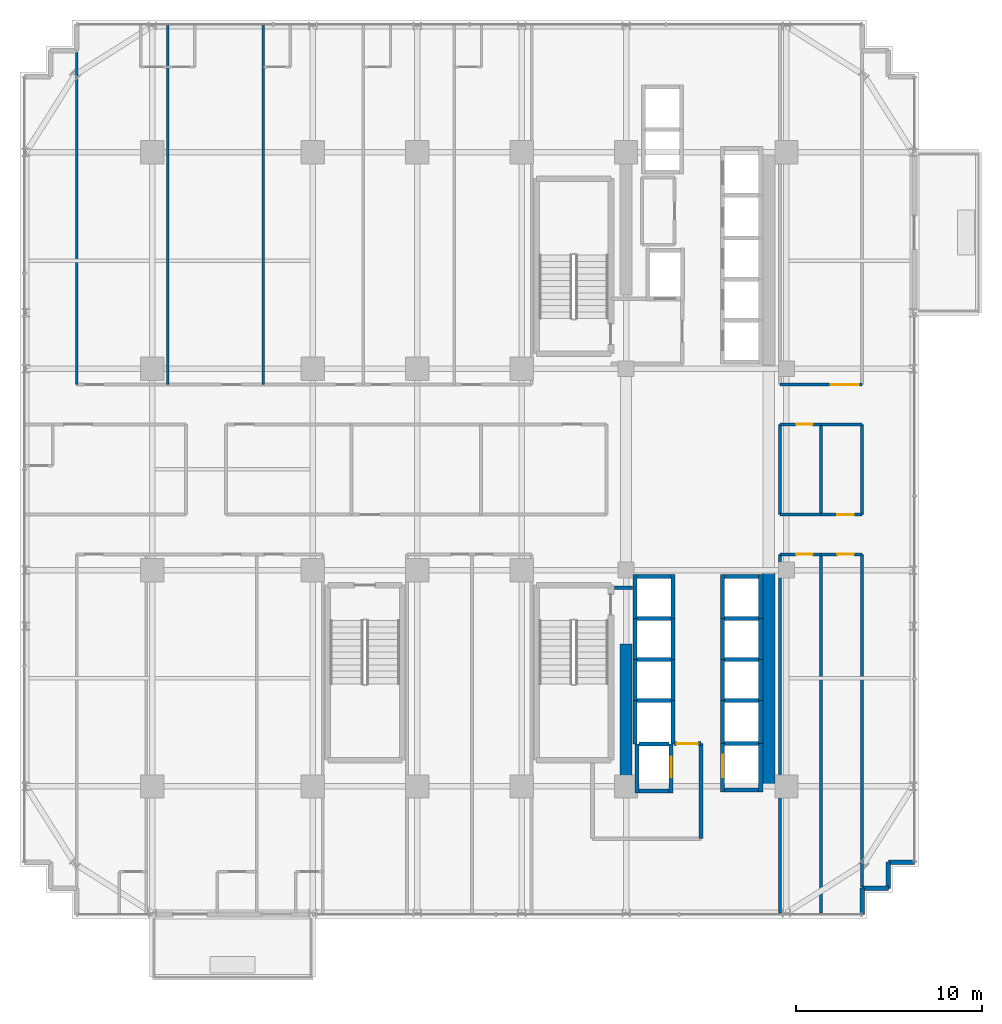
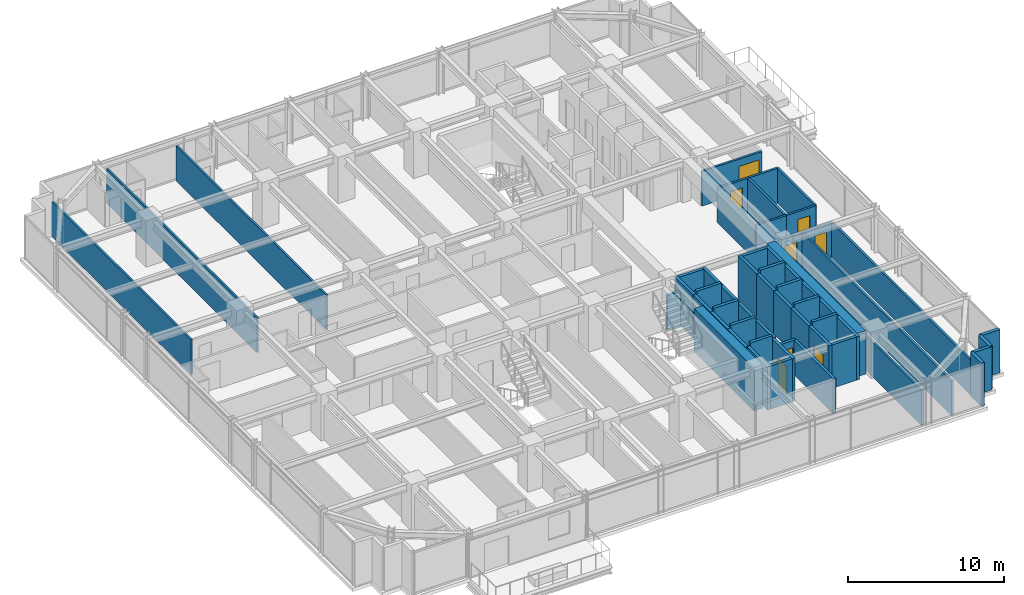
# One storey, part 27 of 32: 57 walls, 8 doors, 8 openings.
"""IFC4 building model written with IfcOpenShell, lengths in metres."""

from ifc_helpers import new_model, si_unit, direction, frame, frame_2d, origin, place, context, subcontext, project, spatial, rectangle, extrude, source, transform, mapped, material, layer, layer_set, type_object, element, fill, save


model = new_model("IFC4")

# Units and contexts
model_context = context("Model", 3, precision=1e-05, world=origin(), true_north=direction((0.0, 1.0)))
body_context = subcontext(model_context, "Body", "Model", "MODEL_VIEW")
ifc_project = project(units=[si_unit("LENGTHUNIT", "METRE"), si_unit("AREAUNIT", "SQUARE_METRE"), si_unit("VOLUMEUNIT", "CUBIC_METRE"), si_unit("PLANEANGLEUNIT", "RADIAN"), si_unit("MASSUNIT", "GRAM", prefix="KILO")], contexts=[model_context])

# Site, building, storey
site_placement = place(None, origin())
site = spatial("IfcSite", under=ifc_project, at=site_placement, CompositionType="ELEMENT")
building_placement = place(site_placement, origin())
building = spatial("IfcBuilding", under=site, at=building_placement, Name="Nahalor Promenade Grand Hotel", CompositionType="ELEMENT")
storey_placement = place(building_placement, frame((0.0, 0.0, 102.89990234375)))
storey = spatial("IfcBuildingStorey", under=building, at=storey_placement, Name="L25", CompositionType="ELEMENT", Elevation=102.89990234375)

# Walls
ifc_material_1 = material(Name="Concrete B-60 (C50/60)", Category="concrete")
ifc_layer_1 = layer(ifc_material_1, 0.64990234375)
ifc_layer_set_1 = layer_set([ifc_layer_1], Name="Concrete B-60 (C50/60)")
wall_type_1 = type_object("IfcWallType", Name="Wall-CoreShear-650", PredefinedType="SHEAR", material=ifc_layer_set_1)
shared_shape_1 = source(origin(), body_context, "Body", "SweptSolid", [
    extrude(rectangle(XDim=7.64990234375, YDim=0.64990234375, at=frame_2d((3.824951171875, 0.0))), origin(), (0.0, 0.0, 1.0), 3.380126953125),
])
wall_1_placement = place(storey_placement, frame((8.39990234375, -17.0, 0.0), z_axis=(0.0, 0.0, 1.0), x_axis=(0.0, 1.0, 0.0)))
element("IfcWall", 1, at=wall_1_placement, inside=storey, type_object=wall_type_1, Name="CWALL-L25-SW", PredefinedType="SHEAR", context=body_context, shape_type="MappedRepresentation", body=[
    mapped(shared_shape_1, transform((0.0, 0.0, 0.0), scale=1.0)),
])
shared_shape_2 = source(origin(), body_context, "Body", "SweptSolid", [
    extrude(rectangle(XDim=11.60009765625, YDim=0.64990234375, at=frame_2d((5.800048828125, 0.0))), origin(), (0.0, 0.0, 1.0), 3.380126953125),
])
wall_2_placement = place(storey_placement, frame((16.050048828125, -17.0, 0.0), z_axis=(0.0, 0.0, 1.0), x_axis=(0.0, 1.0, 0.0)))
element("IfcWall", 2, at=wall_2_placement, inside=storey, type_object=wall_type_1, Name="CWALL-L25-SE", PredefinedType="SHEAR", context=body_context, shape_type="MappedRepresentation", body=[
    mapped(shared_shape_2, transform((0.0, 0.0, 0.0), scale=1.0)),
])
ifc_material_2 = material(Name="Concrete B-50 (C40/50)", Category="concrete")
ifc_layer_2 = layer(ifc_material_2, 0.219970703125)
ifc_layer_set_2 = layer_set([ifc_layer_2], Name="Concrete B-50 (C40/50)")
wall_type_2 = type_object("IfcWallType", Name="Wall-LiftShaft-220", PredefinedType="SHEAR", material=ifc_layer_set_2)
shared_shape_3 = source(origin(), body_context, "Body", "SweptSolid", [
    extrude(rectangle(XDim=1.820068359375, YDim=0.219970703125, at=frame_2d((0.91015625, 0.0))), origin(), (0.0, 0.0, 1.0), 3.650146484375),
])
for number, where, z_axis, x_axis, name in (
    (3, (13.68994140625, -8.0, 0.0), (0.0, 0.0, 1.0), (1.0, 0.0, 0.0), "L25 Lift PL6 Hoistway Wall N"),
    (4, (13.68994140625, -10.199951171875, 0.0), (0.0, 0.0, 1.0), (1.0, 0.0, 0.0), "L25 Lift PL7 Hoistway Wall N"),
    (5, (13.68994140625, -12.39990234375, 0.0), (0.0, 0.0, 1.0), (1.0, 0.0, 0.0), "L25 Lift PL8 Hoistway Wall N"),
    (6, (8.989990234375, -8.0, 0.0), (0.0, 0.0, 1.0), (1.0, 0.0, 0.0), "L25 Lift PL10 Hoistway Wall N"),
    (7, (8.989990234375, -10.199951171875, 0.0), (0.0, 0.0, 1.0), (1.0, 0.0, 0.0), "L25 Lift PL11 Hoistway Wall N"),
    (8, (8.989990234375, -12.39990234375, 0.0), (0.0, 0.0, 1.0), (1.0, 0.0, 0.0), "L25 Lift PL12 Hoistway Wall N"),
    (9, (13.68994140625, -14.699951171875, 0.0), (0.0, 0.0, 1.0), (1.0, 0.0, 0.0), "L25 Lift SV2 Hoistway Wall N"),
):
    element("IfcWall", number, at=place(storey_placement, frame(where, z_axis=z_axis, x_axis=x_axis)), inside=storey, type_object=wall_type_2, Name=name, PredefinedType="SHEAR", context=body_context, shape_type="MappedRepresentation", body=[
        mapped(shared_shape_3, transform((0.0, 0.0, 0.0), scale=1.0)),
    ])
shared_shape_4 = source(origin(), body_context, "Body", "SweptSolid", [
    extrude(rectangle(XDim=2.360107421875, YDim=0.219970703125, at=frame_2d((1.18017578125, 0.0))), origin(), (0.0, 0.0, 1.0), 3.380126953125),
])
for number, where, z_axis, x_axis, name in (
    (10, (13.580078125, -8.0, 0.0), (0.0, 0.0, 1.0), (0.0, 1.0, 0.0), "L25 Lift PL5 Hoistway Wall W"),
    (11, (15.6201171875, -8.0, 0.0), (0.0, 0.0, 1.0), (0.0, 1.0, 0.0), "L25 Lift PL5 Hoistway Wall E"),
    (12, (8.8798828125, -8.0, 0.0), (0.0, 0.0, 1.0), (0.0, 1.0, 0.0), "L25 Lift PL9 Hoistway Wall W"),
    (13, (10.919921875, -8.0, 0.0), (0.0, 0.0, 1.0), (0.0, 1.0, 0.0), "L25 Lift PL9 Hoistway Wall E"),
):
    element("IfcWall", number, at=place(storey_placement, frame(where, z_axis=z_axis, x_axis=x_axis)), inside=storey, type_object=wall_type_2, Name=name, PredefinedType="SHEAR", context=body_context, shape_type="MappedRepresentation", body=[
        mapped(shared_shape_4, transform((0.0, 0.0, 0.0), scale=1.0)),
    ])
shared_shape_5 = source(origin(), body_context, "Body", "SweptSolid", [
    extrude(rectangle(XDim=1.820068359375, YDim=0.219970703125, at=frame_2d((0.91015625, 0.0))), origin(), (0.0, 0.0, 1.0), 3.380126953125),
])
for number, where, z_axis, x_axis, name in (
    (14, (13.68994140625, -5.75, 0.0), (0.0, 0.0, 1.0), (1.0, 0.0, 0.0), "L25 Lift PL5 Hoistway Wall N"),
    (15, (8.989990234375, -5.75, 0.0), (0.0, 0.0, 1.0), (1.0, 0.0, 0.0), "L25 Lift PL9 Hoistway Wall N"),
    (16, (13.68994140625, -17.199951171875, 0.0), (0.0, 0.0, 1.0), (1.0, 0.0, 0.0), "L25 Lift SV2 Hoistway Wall S"),
):
    element("IfcWall", number, at=place(storey_placement, frame(where, z_axis=z_axis, x_axis=x_axis)), inside=storey, type_object=wall_type_2, Name=name, PredefinedType="SHEAR", context=body_context, shape_type="MappedRepresentation", body=[
        mapped(shared_shape_5, transform((0.0, 0.0, 0.0), scale=1.0)),
    ])
shared_shape_6 = source(origin(), body_context, "Body", "SweptSolid", [
    extrude(rectangle(XDim=2.199951171875, YDim=0.219970703125, at=frame_2d((1.10009765625, 0.0))), origin(), (0.0, 0.0, 1.0), 3.380126953125),
])
for number, where, z_axis, x_axis, name in (
    (17, (13.580078125, -10.199951171875, 0.0), (0.0, 0.0, 1.0), (0.0, 1.0, 0.0), "L25 Lift PL6 Hoistway Wall W"),
    (18, (15.6201171875, -10.199951171875, 0.0), (0.0, 0.0, 1.0), (0.0, 1.0, 0.0), "L25 Lift PL6 Hoistway Wall E"),
    (19, (13.580078125, -12.39990234375, 0.0), (0.0, 0.0, 1.0), (0.0, 1.0, 0.0), "L25 Lift PL7 Hoistway Wall W"),
    (20, (15.6201171875, -12.39990234375, 0.0), (0.0, 0.0, 1.0), (0.0, 1.0, 0.0), "L25 Lift PL7 Hoistway Wall E"),
    (21, (8.8798828125, -10.199951171875, 0.0), (0.0, 0.0, 1.0), (0.0, 1.0, 0.0), "L25 Lift PL10 Hoistway Wall W"),
    (22, (10.919921875, -10.199951171875, 0.0), (0.0, 0.0, 1.0), (0.0, 1.0, 0.0), "L25 Lift PL10 Hoistway Wall E"),
    (23, (8.8798828125, -12.39990234375, 0.0), (0.0, 0.0, 1.0), (0.0, 1.0, 0.0), "L25 Lift PL11 Hoistway Wall W"),
    (24, (10.919921875, -12.39990234375, 0.0), (0.0, 0.0, 1.0), (0.0, 1.0, 0.0), "L25 Lift PL11 Hoistway Wall E"),
):
    element("IfcWall", number, at=place(storey_placement, frame(where, z_axis=z_axis, x_axis=x_axis)), inside=storey, type_object=wall_type_2, Name=name, PredefinedType="SHEAR", context=body_context, shape_type="MappedRepresentation", body=[
        mapped(shared_shape_6, transform((0.0, 0.0, 0.0), scale=1.0)),
    ])
shared_shape_7 = source(origin(), body_context, "Body", "SweptSolid", [
    extrude(rectangle(XDim=2.300048828125, YDim=0.219970703125, at=frame_2d((1.14990234375, 0.0))), origin(), (0.0, 0.0, 1.0), 3.380126953125),
])
for number, where, z_axis, x_axis, name in (
    (25, (13.580078125, -14.699951171875, 0.0), (0.0, 0.0, 1.0), (0.0, 1.0, 0.0), "L25 Lift PL8 Hoistway Wall W"),
    (26, (15.6201171875, -14.699951171875, 0.0), (0.0, 0.0, 1.0), (0.0, 1.0, 0.0), "L25 Lift PL8 Hoistway Wall E"),
):
    element("IfcWall", number, at=place(storey_placement, frame(where, z_axis=z_axis, x_axis=x_axis)), inside=storey, type_object=wall_type_2, Name=name, PredefinedType="SHEAR", context=body_context, shape_type="MappedRepresentation", body=[
        mapped(shared_shape_7, transform((0.0, 0.0, 0.0), scale=1.0)),
    ])
shared_shape_8 = source(origin(), body_context, "Body", "SweptSolid", [
    extrude(rectangle(XDim=2.3251953125, YDim=0.219970703125, at=frame_2d((1.16259765625, 0.0))), origin(), (0.0, 0.0, 1.0), 3.380126953125),
])
for number, where, z_axis, x_axis, name in (
    (27, (8.8798828125, -14.72509765625, 0.0), (0.0, 0.0, 1.0), (0.0, 1.0, 0.0), "L25 Lift PL12 Hoistway Wall W"),
    (28, (10.919921875, -14.72509765625, 0.0), (0.0, 0.0, 1.0), (0.0, 1.0, 0.0), "L25 Lift PL12 Hoistway Wall E"),
):
    element("IfcWall", number, at=place(storey_placement, frame(where, z_axis=z_axis, x_axis=x_axis)), inside=storey, type_object=wall_type_2, Name=name, PredefinedType="SHEAR", context=body_context, shape_type="MappedRepresentation", body=[
        mapped(shared_shape_8, transform((0.0, 0.0, 0.0), scale=1.0)),
    ])
shared_shape_9 = source(origin(), body_context, "Body", "SweptSolid", [
    extrude(rectangle(XDim=1.619873046875, YDim=0.219970703125, at=frame_2d((0.81005859375, 0.0))), origin(), (0.0, 0.0, 1.0), 3.650146484375),
])
wall_3_placement = place(storey_placement, frame((9.090087890625, -14.72509765625, 0.0), z_axis=(0.0, 0.0, 1.0), x_axis=(1.0, 0.0, 0.0)))
element("IfcWall", 29, at=wall_3_placement, inside=storey, type_object=wall_type_2, Name="L25 Lift FL2 Hoistway Wall N", PredefinedType="SHEAR", context=body_context, shape_type="MappedRepresentation", body=[
    mapped(shared_shape_9, transform((0.0, 0.0, 0.0), scale=1.0)),
])
shared_shape_10 = source(origin(), body_context, "Body", "SweptSolid", [
    extrude(rectangle(XDim=2.635009765625, YDim=0.219970703125, at=frame_2d((1.3173828125, 0.0))), origin(), (0.0, 0.0, 1.0), 3.380126953125),
])
wall_4_placement = place(storey_placement, frame((8.97998046875, -17.360107421875, 0.0), z_axis=(0.0, 0.0, 1.0), x_axis=(0.0, 1.0, 0.0)))
element("IfcWall", 30, at=wall_4_placement, inside=storey, type_object=wall_type_2, Name="L25 Lift FL2 Hoistway Wall W", PredefinedType="SHEAR", context=body_context, shape_type="MappedRepresentation", body=[
    mapped(shared_shape_10, transform((0.0, 0.0, 0.0), scale=1.0)),
])

# Wall, opening, door
wall_5_placement = place(storey_placement, frame((10.820068359375, -17.360107421875, 0.0), z_axis=(0.0, 0.0, 1.0), x_axis=(0.0, 1.0, 0.0)))
wall_5 = element("IfcWall", 31, at=wall_5_placement, inside=storey, type_object=wall_type_2, Name="L25 Lift FL2 Hoistway Wall E", PredefinedType="SHEAR", context=body_context, shape_type="MappedRepresentation", body=[
    mapped(shared_shape_10, transform((0.0, 0.0, 0.0), scale=1.0)),
])
opening_1_placement = place(wall_5_placement, frame((0.860107421875, 0.0, 0.0)))
opening_1 = element("IfcOpeningElement", 32, at=opening_1_placement, cuts=wall_5, Name="Opening LD-02", PredefinedType="OPENING", context=body_context, shape_type="SweptSolid", body=[
    extrude(rectangle(XDim=1.10009765625, YDim=2.199951171875, at=frame_2d((0.550048828125, 1.10009765625))), frame((0.0, 0.119873046875, 0.0), z_axis=(0.0, -1.0, 0.0), x_axis=(1.0, 0.0, 0.0)), (0.0, 0.0, 1.0), 0.239990234375),
])
ifc_material_3 = material(Name="Steel S355JR", Category="steel")
door_type_1 = type_object("IfcDoorType", Name="Door-LiftFF-1100", OperationType="DOUBLE_DOOR_SLIDING", PredefinedType="DOOR", material=ifc_material_3)
shared_shape_11 = source(origin(), body_context, "Body", "SweptSolid", [
    extrude(rectangle(XDim=1.10009765625, YDim=2.199951171875, at=frame_2d((0.550048828125, 1.10009765625))), frame((0.0, 0.02490234375, 0.0), z_axis=(0.0, -1.0, 0.0), x_axis=(1.0, 0.0, 0.0)), (0.0, 0.0, 1.0), 0.050048828125),
])
door_1_placement = place(opening_1_placement, frame((1.10009765625, 0.0, 0.0), z_axis=(0.0, 0.0, 1.0), x_axis=(-1.0, 0.0, 0.0)))
door_1 = element("IfcDoor", 33, at=door_1_placement, inside=storey, type_object=door_type_1, Name="DR-LIFT-FL2-L25", OperationType="DOUBLE_DOOR_SLIDING", OverallHeight=2.199951171875, OverallWidth=1.10009765625, PredefinedType="DOOR", context=body_context, shape_type="MappedRepresentation", body=[
    mapped(shared_shape_11, transform((0.0, 0.0, 0.0), scale=1.0)),
])
fill(opening_1, door_1)

# Wall
shared_shape_12 = source(origin(), body_context, "Body", "SweptSolid", [
    extrude(rectangle(XDim=1.619873046875, YDim=0.219970703125, at=frame_2d((0.81005859375, 0.0))), origin(), (0.0, 0.0, 1.0), 3.380126953125),
])
wall_6_placement = place(storey_placement, frame((9.090087890625, -17.25, 0.0), z_axis=(0.0, 0.0, 1.0), x_axis=(1.0, 0.0, 0.0)))
element("IfcWall", 34, at=wall_6_placement, inside=storey, type_object=wall_type_2, Name="L25 Lift FL2 Hoistway Wall S", PredefinedType="SHEAR", context=body_context, shape_type="MappedRepresentation", body=[
    mapped(shared_shape_12, transform((0.0, 0.0, 0.0), scale=1.0)),
])

# Wall, opening, door
shared_shape_13 = source(origin(), body_context, "Body", "SweptSolid", [
    extrude(rectangle(XDim=2.610107421875, YDim=0.219970703125, at=frame_2d((1.30517578125, 0.0))), origin(), (0.0, 0.0, 1.0), 3.380126953125),
])
wall_7_placement = place(storey_placement, frame((13.580078125, -17.31005859375, 0.0), z_axis=(0.0, 0.0, 1.0), x_axis=(0.0, 1.0, 0.0)))
wall_7 = element("IfcWall", 35, at=wall_7_placement, inside=storey, type_object=wall_type_2, Name="L25 Lift SV2 Hoistway Wall W", PredefinedType="SHEAR", context=body_context, shape_type="MappedRepresentation", body=[
    mapped(shared_shape_13, transform((0.0, 0.0, 0.0), scale=1.0)),
])
opening_2_placement = place(wall_7_placement, frame((0.81005859375, 0.0, 0.0)))
opening_2 = element("IfcOpeningElement", 36, at=opening_2_placement, cuts=wall_7, Name="Opening LD-03", PredefinedType="OPENING", context=body_context, shape_type="SweptSolid", body=[
    extrude(rectangle(XDim=1.199951171875, YDim=2.199951171875, at=frame_2d((0.60009765625, 1.10009765625))), frame((0.0, 0.119873046875, 0.0), z_axis=(0.0, -1.0, 0.0), x_axis=(1.0, 0.0, 0.0)), (0.0, 0.0, 1.0), 0.239990234375),
])
door_type_2 = type_object("IfcDoorType", Name="Door-LiftService-1200", OperationType="DOUBLE_DOOR_SLIDING", PredefinedType="DOOR", material=ifc_material_3)
shared_shape_14 = source(origin(), body_context, "Body", "SweptSolid", [
    extrude(rectangle(XDim=1.199951171875, YDim=2.199951171875, at=frame_2d((0.60009765625, 1.10009765625))), frame((0.0, 0.02490234375, 0.0), z_axis=(0.0, -1.0, 0.0), x_axis=(1.0, 0.0, 0.0)), (0.0, 0.0, 1.0), 0.050048828125),
])
door_2_placement = place(opening_2_placement, origin())
door_2 = element("IfcDoor", 37, at=door_2_placement, inside=storey, type_object=door_type_2, Name="DR-LIFT-SV2-L25", OperationType="DOUBLE_DOOR_SLIDING", OverallHeight=2.199951171875, OverallWidth=1.199951171875, PredefinedType="DOOR", context=body_context, shape_type="MappedRepresentation", body=[
    mapped(shared_shape_14, transform((0.0, 0.0, 0.0), scale=1.0)),
])
fill(opening_2, door_2)

# Walls
wall_8_placement = place(storey_placement, frame((15.6201171875, -17.31005859375, 0.0), z_axis=(0.0, 0.0, 1.0), x_axis=(0.0, 1.0, 0.0)))
element("IfcWall", 38, at=wall_8_placement, inside=storey, type_object=wall_type_2, Name="L25 Lift SV2 Hoistway Wall E", PredefinedType="SHEAR", context=body_context, shape_type="MappedRepresentation", body=[
    mapped(shared_shape_13, transform((0.0, 0.0, 0.0), scale=1.0)),
])
ifc_material_4 = material(Name="Concrete B-40 (C32/40)", Category="concrete")
ifc_layer_3 = layer(ifc_material_4, 0.25)
ifc_layer_set_3 = layer_set([ifc_layer_3], Name="Concrete B-40 (C32/40)")
wall_type_3 = type_object("IfcWallType", Name="Wall-BronzePier-250", PredefinedType="STANDARD", material=ifc_layer_set_3)
shared_shape_15 = source(origin(), body_context, "Body", "SweptSolid", [
    extrude(rectangle(XDim=1.400146484375, YDim=0.25, at=frame_2d((0.7001953125, 0.0))), origin(), (0.0, 0.0, 1.0), 3.380126953125),
])
for number, where, z_axis, x_axis, name in (
    (39, (21.06005859375, -23.860107421875, 0.0), (0.0, 0.0, 1.0), (0.0, 1.0, 0.0), "W-L25-SR-01"),
    (40, (22.4599609375, -21.06005859375, 0.0), (0.0, 0.0, 1.0), (1.0, 0.0, 0.0), "W-L25-SR-04"),
):
    element("IfcWall", number, at=place(storey_placement, frame(where, z_axis=z_axis, x_axis=x_axis)), inside=storey, type_object=wall_type_3, Name=name, PredefinedType="STANDARD", context=body_context, shape_type="MappedRepresentation", body=[
        mapped(shared_shape_15, transform((0.0, 0.0, 0.0), scale=1.0)),
    ])
shared_shape_16 = source(origin(), body_context, "Body", "SweptSolid", [
    extrude(rectangle(XDim=1.39990234375, YDim=0.25, at=frame_2d((0.699951171875, 0.0))), origin(), (0.0, 0.0, 1.0), 3.380126953125),
])
for number, where, z_axis, x_axis, name in (
    (41, (21.06005859375, -22.4599609375, 0.0), (0.0, 0.0, 1.0), (1.0, 0.0, 0.0), "W-L25-SR-02"),
    (42, (22.4599609375, -22.4599609375, 0.0), (0.0, 0.0, 1.0), (0.0, 1.0, 0.0), "W-L25-SR-03"),
):
    element("IfcWall", number, at=place(storey_placement, frame(where, z_axis=z_axis, x_axis=x_axis)), inside=storey, type_object=wall_type_3, Name=name, PredefinedType="STANDARD", context=body_context, shape_type="MappedRepresentation", body=[
        mapped(shared_shape_16, transform((0.0, 0.0, 0.0), scale=1.0)),
    ])
ifc_layer_4 = layer(ifc_material_4, 0.199951171875)
ifc_layer_set_4 = layer_set([ifc_layer_4], Name="Concrete B-40 (C32/40)")
wall_type_4 = type_object("IfcWallType", Name="Wall-PartFire-200", PredefinedType="PARTITIONING", material=ifc_layer_set_4)
shared_shape_17 = source(origin(), body_context, "Body", "SweptSolid", [
    extrude(rectangle(XDim=5.10009765625, YDim=0.199951171875, at=frame_2d((2.550048828125, 0.0))), origin(), (0.0, 0.0, 1.0), 2.72021484375),
])
wall_9_placement = place(storey_placement, frame((12.419921875, -19.800048828125, 0.0), z_axis=(0.0, 0.0, 1.0), x_axis=(0.0, 1.0, 0.0)))
element("IfcWall", 43, at=wall_9_placement, inside=storey, type_object=wall_type_4, Name="W-L25-FF2-E", PredefinedType="PARTITIONING", context=body_context, shape_type="MappedRepresentation", body=[
    mapped(shared_shape_17, transform((0.0, 0.0, 0.0), scale=1.0)),
])

# Wall, opening, door
shared_shape_18 = source(origin(), body_context, "Body", "SweptSolid", [
    extrude(rectangle(XDim=1.4599609375, YDim=0.199951171875, at=frame_2d((0.72998046875, 0.0))), origin(), (0.0, 0.0, 1.0), 2.72021484375),
])
wall_10_placement = place(storey_placement, frame((10.9599609375, -14.699951171875, 0.0), z_axis=(0.0, 0.0, 1.0), x_axis=(1.0, 0.0, 0.0)))
wall_10 = element("IfcWall", 44, at=wall_10_placement, inside=storey, type_object=wall_type_4, Name="W-L25-FF2-N1", PredefinedType="PARTITIONING", context=body_context, shape_type="MappedRepresentation", body=[
    mapped(shared_shape_18, transform((0.0, 0.0, 0.0), scale=1.0)),
])
opening_3_placement = place(wall_10_placement, frame((0.14501953125, 0.0, 0.0)))
opening_3 = element("IfcOpeningElement", 45, at=opening_3_placement, cuts=wall_10, Name="Opening D-FF1", PredefinedType="OPENING", context=body_context, shape_type="SweptSolid", body=[
    extrude(rectangle(XDim=1.14990234375, YDim=2.14990234375, at=frame_2d((0.574951171875, 1.074951171875))), frame((0.0, 0.10986328125, 0.0), z_axis=(0.0, -1.0, 0.0), x_axis=(1.0, 0.0, 0.0)), (0.0, 0.0, 1.0), 0.219970703125),
])
door_type_3 = type_object("IfcDoorType", Name="Door-FFLobby-1150", OperationType="NOTDEFINED", PredefinedType="DOOR", material=ifc_material_3)
shared_shape_19 = source(origin(), body_context, "Body", "SweptSolid", [
    extrude(rectangle(XDim=1.14990234375, YDim=2.14990234375, at=frame_2d((0.574951171875, 1.074951171875))), frame((0.0, 0.02490234375, 0.0), z_axis=(0.0, -1.0, 0.0), x_axis=(1.0, 0.0, 0.0)), (0.0, 0.0, 1.0), 0.050048828125),
])
door_3_placement = place(opening_3_placement, origin())
door_3 = element("IfcDoor", 46, at=door_3_placement, inside=storey, type_object=door_type_3, Name="DR-L25-FFL2", OperationType="SINGLE_SWING_LEFT", OverallHeight=2.14990234375, OverallWidth=1.14990234375, PredefinedType="DOOR", context=body_context, shape_type="MappedRepresentation", body=[
    mapped(shared_shape_19, transform((0.0, 0.0, 0.0), scale=1.0)),
])
fill(opening_3, door_3)

# Wall
shared_shape_20 = source(origin(), body_context, "Body", "SweptSolid", [
    extrude(rectangle(XDim=0.969970703125, YDim=0.199951171875, at=frame_2d((0.48486328125, 0.0))), origin(), (0.0, 0.0, 1.0), 2.72021484375),
])
wall_11_placement = place(storey_placement, frame((7.77001953125, -6.35009765625, 0.0), z_axis=(0.0, 0.0, 1.0), x_axis=(1.0, 0.0, 0.0)))
element("IfcWall", 47, at=wall_11_placement, inside=storey, type_object=wall_type_4, Name="W-L25-FF2-N2", PredefinedType="PARTITIONING", context=body_context, shape_type="MappedRepresentation", body=[
    mapped(shared_shape_20, transform((0.0, 0.0, 0.0), scale=1.0)),
])

# Wall, opening, door
ifc_material_5 = material(Name="Acoustic Mineral Gypsum", Category="gypsum")
ifc_layer_5 = layer(ifc_material_5, 0.159912109375)
ifc_layer_set_5 = layer_set([ifc_layer_5], Name="Acoustic Mineral Gypsum")
wall_type_5 = type_object("IfcWallType", Name="Wall-PartCorridor-160", PredefinedType="PARTITIONING", material=ifc_layer_set_5)
shared_shape_21 = source(origin(), body_context, "Body", "SweptSolid", [
    extrude(rectangle(XDim=4.41015625, YDim=0.159912109375, at=frame_2d((2.205078125, 0.0))), origin(), (0.0, 0.0, 1.0), 2.72021484375),
])
wall_12_placement = place(storey_placement, frame((16.64990234375, 4.550048828125, 0.0), z_axis=(0.0, 0.0, 1.0), x_axis=(1.0, 0.0, 0.0)))
wall_12 = element("IfcWall", 48, at=wall_12_placement, inside=storey, type_object=wall_type_5, Name="W-L25-ENE-S", PredefinedType="PARTITIONING", context=body_context, shape_type="MappedRepresentation", body=[
    mapped(shared_shape_21, transform((0.0, 0.0, 0.0), scale=1.0)),
])
opening_4_placement = place(wall_12_placement, frame((2.721923828125, 0.0, 0.0)))
opening_4 = element("IfcOpeningElement", 49, at=opening_4_placement, cuts=wall_12, Name="Opening D-02", PredefinedType="OPENING", context=body_context, shape_type="SweptSolid", body=[
    extrude(rectangle(XDim=1.5, YDim=2.14990234375, at=frame_2d((0.75, 1.074951171875))), frame((0.0, 0.08984375, 0.0), z_axis=(0.0, -1.0, 0.0), x_axis=(1.0, 0.0, 0.0)), (0.0, 0.0, 1.0), 0.179931640625),
])
ifc_material_6 = material(Name="Fire-Rated Timber Composite", Category="wood")
door_type_4 = type_object("IfcDoorType", Name="Door-SuiteDouble-1500", OperationType="DOUBLE_DOOR_SINGLE_SWING", PredefinedType="DOOR", material=ifc_material_6)
shared_shape_22 = source(origin(), body_context, "Body", "SweptSolid", [
    extrude(rectangle(XDim=1.5, YDim=2.14990234375, at=frame_2d((0.75, 1.074951171875))), frame((0.0, 0.02490234375, 0.0), z_axis=(0.0, -1.0, 0.0), x_axis=(1.0, 0.0, 0.0)), (0.0, 0.0, 1.0), 0.050048828125),
])
door_4_placement = place(opening_4_placement, origin())
door_4 = element("IfcDoor", 50, at=door_4_placement, inside=storey, type_object=door_type_4, Name="DR-L25-ENE", OperationType="DOUBLE_DOOR_SINGLE_SWING", OverallHeight=2.14990234375, OverallWidth=1.5, PredefinedType="DOOR", context=body_context, shape_type="MappedRepresentation", body=[
    mapped(shared_shape_22, transform((0.0, 0.0, 0.0), scale=1.0)),
])
fill(opening_4, door_4)

# Walls
shared_shape_23 = source(origin(), body_context, "Body", "SweptSolid", [
    extrude(rectangle(XDim=19.25, YDim=0.159912109375, at=frame_2d((9.625, 0.0))), origin(), (0.0, 0.0, 1.0), 2.72021484375),
])
for number, where, z_axis, x_axis, name in (
    (51, (16.64990234375, -23.800048828125, 0.0), (0.0, 0.0, 1.0), (0.0, 1.0, 0.0), "W-L25-ESE1-W"),
    (52, (18.85498046875, -23.800048828125, 0.0), (0.0, 0.0, 1.0), (0.0, 1.0, 0.0), "W-L25-ESE1-E"),
):
    element("IfcWall", number, at=place(storey_placement, frame(where, z_axis=z_axis, x_axis=x_axis)), inside=storey, type_object=wall_type_5, Name=name, PredefinedType="PARTITIONING", context=body_context, shape_type="MappedRepresentation", body=[
        mapped(shared_shape_23, transform((0.0, 0.0, 0.0), scale=1.0)),
    ])
shared_shape_24 = source(origin(), body_context, "Body", "SweptSolid", [
    extrude(rectangle(XDim=17.829833984375, YDim=0.159912109375, at=frame_2d((8.9150390625, 0.0))), origin(), (0.0, 0.0, 1.0), 2.72021484375),
])
wall_13_placement = place(storey_placement, frame((21.06005859375, -22.3798828125, 0.0), z_axis=(0.0, 0.0, 1.0), x_axis=(0.0, 1.0, 0.0)))
element("IfcWall", 53, at=wall_13_placement, inside=storey, type_object=wall_type_5, Name="W-L25-ESE2-E", PredefinedType="PARTITIONING", context=body_context, shape_type="MappedRepresentation", body=[
    mapped(shared_shape_24, transform((0.0, 0.0, 0.0), scale=1.0)),
])

# Wall, opening, door
shared_shape_25 = source(origin(), body_context, "Body", "SweptSolid", [
    extrude(rectangle(XDim=2.205078125, YDim=0.159912109375, at=frame_2d((1.1025390625, 0.0))), origin(), (0.0, 0.0, 1.0), 2.72021484375),
])
wall_14_placement = place(storey_placement, frame((16.64990234375, -4.550048828125, 0.0), z_axis=(0.0, 0.0, 1.0), x_axis=(1.0, 0.0, 0.0)))
wall_14 = element("IfcWall", 54, at=wall_14_placement, inside=storey, type_object=wall_type_5, Name="W-L25-ESE1-N", PredefinedType="PARTITIONING", context=body_context, shape_type="MappedRepresentation", body=[
    mapped(shared_shape_25, transform((0.0, 0.0, 0.0), scale=1.0)),
])
opening_5_placement = place(wall_14_placement, frame((0.875, 0.0, 0.0)))
opening_5 = element("IfcOpeningElement", 55, at=opening_5_placement, cuts=wall_14, Name="Opening D-03", PredefinedType="OPENING", context=body_context, shape_type="SweptSolid", body=[
    extrude(rectangle(XDim=0.8798828125, YDim=2.10009765625, at=frame_2d((0.43994140625, 1.050048828125))), frame((0.0, 0.08984375, 0.0), z_axis=(0.0, -1.0, 0.0), x_axis=(1.0, 0.0, 0.0)), (0.0, 0.0, 1.0), 0.179931640625),
])
door_type_5 = type_object("IfcDoorType", Name="Door-BathSwing-880", OperationType="NOTDEFINED", PredefinedType="DOOR", material=ifc_material_6)
shared_shape_26 = source(origin(), body_context, "Body", "SweptSolid", [
    extrude(rectangle(XDim=0.8798828125, YDim=2.10009765625, at=frame_2d((0.43994140625, 1.050048828125))), frame((0.0, 0.02490234375, 0.0), z_axis=(0.0, -1.0, 0.0), x_axis=(1.0, 0.0, 0.0)), (0.0, 0.0, 1.0), 0.050048828125),
])
door_5_placement = place(opening_5_placement, frame((0.8798828125, 0.0, 0.0), z_axis=(0.0, 0.0, 1.0), x_axis=(-1.0, 0.0, 0.0)))
door_5 = element("IfcDoor", 56, at=door_5_placement, inside=storey, type_object=door_type_5, Name="DR-L25-ESE1", OperationType="SINGLE_SWING_LEFT", OverallHeight=2.10009765625, OverallWidth=0.8798828125, PredefinedType="DOOR", context=body_context, shape_type="MappedRepresentation", body=[
    mapped(shared_shape_26, transform((0.0, 0.0, 0.0), scale=1.0)),
])
fill(opening_5, door_5)

wall_15_placement = place(storey_placement, frame((18.85498046875, -4.550048828125, 0.0), z_axis=(0.0, 0.0, 1.0), x_axis=(1.0, 0.0, 0.0)))
wall_15 = element("IfcWall", 57, at=wall_15_placement, inside=storey, type_object=wall_type_5, Name="W-L25-ESE2-N", PredefinedType="PARTITIONING", context=body_context, shape_type="MappedRepresentation", body=[
    mapped(shared_shape_25, transform((0.0, 0.0, 0.0), scale=1.0)),
])
opening_6_placement = place(wall_15_placement, frame((0.875, 0.0, 0.0)))
opening_6 = element("IfcOpeningElement", 58, at=opening_6_placement, cuts=wall_15, Name="Opening D-03", PredefinedType="OPENING", context=body_context, shape_type="SweptSolid", body=[
    extrude(rectangle(XDim=0.8798828125, YDim=2.10009765625, at=frame_2d((0.43994140625, 1.050048828125))), frame((0.0, 0.08984375, 0.0), z_axis=(0.0, -1.0, 0.0), x_axis=(1.0, 0.0, 0.0)), (0.0, 0.0, 1.0), 0.179931640625),
])
door_6_placement = place(opening_6_placement, frame((0.8798828125, 0.0, 0.0), z_axis=(0.0, 0.0, 1.0), x_axis=(-1.0, 0.0, 0.0)))
door_6 = element("IfcDoor", 59, at=door_6_placement, inside=storey, type_object=door_type_5, Name="DR-L25-ESE2", OperationType="SINGLE_SWING_RIGHT", OverallHeight=2.10009765625, OverallWidth=0.8798828125, PredefinedType="DOOR", context=body_context, shape_type="MappedRepresentation", body=[
    mapped(shared_shape_26, transform((0.0, 0.0, 0.0), scale=1.0)),
])
fill(opening_6, door_6)

# Wall
wall_16_placement = place(storey_placement, frame((16.64990234375, -2.419921875, 0.0), z_axis=(0.0, 0.0, 1.0), x_axis=(1.0, 0.0, 0.0)))
element("IfcWall", 60, at=wall_16_placement, inside=storey, type_object=wall_type_5, Name="W-L25-ECW1-S", PredefinedType="PARTITIONING", context=body_context, shape_type="MappedRepresentation", body=[
    mapped(shared_shape_25, transform((0.0, 0.0, 0.0), scale=1.0)),
])

# Wall, opening, door
wall_17_placement = place(storey_placement, frame((16.64990234375, 2.419921875, 0.0), z_axis=(0.0, 0.0, 1.0), x_axis=(1.0, 0.0, 0.0)))
wall_17 = element("IfcWall", 61, at=wall_17_placement, inside=storey, type_object=wall_type_5, Name="W-L25-ECW1-N", PredefinedType="PARTITIONING", context=body_context, shape_type="MappedRepresentation", body=[
    mapped(shared_shape_25, transform((0.0, 0.0, 0.0), scale=1.0)),
])
opening_7_placement = place(wall_17_placement, frame((0.875, 0.0, 0.0)))
opening_7 = element("IfcOpeningElement", 62, at=opening_7_placement, cuts=wall_17, Name="Opening D-03", PredefinedType="OPENING", context=body_context, shape_type="SweptSolid", body=[
    extrude(rectangle(XDim=0.8798828125, YDim=2.10009765625, at=frame_2d((0.43994140625, 1.050048828125))), frame((0.0, 0.08984375, 0.0), z_axis=(0.0, -1.0, 0.0), x_axis=(1.0, 0.0, 0.0)), (0.0, 0.0, 1.0), 0.179931640625),
])
door_7_placement = place(opening_7_placement, frame((0.8798828125, 0.0, 0.0), z_axis=(0.0, 0.0, 1.0), x_axis=(-1.0, 0.0, 0.0)))
door_7 = element("IfcDoor", 63, at=door_7_placement, inside=storey, type_object=door_type_5, Name="DR-L25-ECW1", OperationType="SINGLE_SWING_LEFT", OverallHeight=2.10009765625, OverallWidth=0.8798828125, PredefinedType="DOOR", context=body_context, shape_type="MappedRepresentation", body=[
    mapped(shared_shape_26, transform((0.0, 0.0, 0.0), scale=1.0)),
])
fill(opening_7, door_7)

wall_18_placement = place(storey_placement, frame((18.85498046875, -2.419921875, 0.0), z_axis=(0.0, 0.0, 1.0), x_axis=(1.0, 0.0, 0.0)))
wall_18 = element("IfcWall", 64, at=wall_18_placement, inside=storey, type_object=wall_type_5, Name="W-L25-ECW2-S", PredefinedType="PARTITIONING", context=body_context, shape_type="MappedRepresentation", body=[
    mapped(shared_shape_25, transform((0.0, 0.0, 0.0), scale=1.0)),
])
opening_8_placement = place(wall_18_placement, frame((0.875, 0.0, 0.0)))
opening_8 = element("IfcOpeningElement", 65, at=opening_8_placement, cuts=wall_18, Name="Opening D-03", PredefinedType="OPENING", context=body_context, shape_type="SweptSolid", body=[
    extrude(rectangle(XDim=0.8798828125, YDim=2.10009765625, at=frame_2d((0.43994140625, 1.050048828125))), frame((0.0, 0.08984375, 0.0), z_axis=(0.0, -1.0, 0.0), x_axis=(1.0, 0.0, 0.0)), (0.0, 0.0, 1.0), 0.179931640625),
])
door_8_placement = place(opening_8_placement, origin())
door_8 = element("IfcDoor", 66, at=door_8_placement, inside=storey, type_object=door_type_5, Name="DR-L25-ECW2", OperationType="SINGLE_SWING_RIGHT", OverallHeight=2.10009765625, OverallWidth=0.8798828125, PredefinedType="DOOR", context=body_context, shape_type="MappedRepresentation", body=[
    mapped(shared_shape_26, transform((0.0, 0.0, 0.0), scale=1.0)),
])
fill(opening_8, door_8)

# Walls
wall_19_placement = place(storey_placement, frame((18.85498046875, 2.419921875, 0.0), z_axis=(0.0, 0.0, 1.0), x_axis=(1.0, 0.0, 0.0)))
element("IfcWall", 67, at=wall_19_placement, inside=storey, type_object=wall_type_5, Name="W-L25-ECW2-N", PredefinedType="PARTITIONING", context=body_context, shape_type="MappedRepresentation", body=[
    mapped(shared_shape_25, transform((0.0, 0.0, 0.0), scale=1.0)),
])
ifc_layer_6 = layer(ifc_material_5, 0.139892578125)
ifc_layer_set_6 = layer_set([ifc_layer_6], Name="Acoustic Mineral Gypsum")
wall_type_6 = type_object("IfcWallType", Name="Wall-PartSuite-140", PredefinedType="PARTITIONING", material=ifc_layer_set_6)
shared_shape_27 = source(origin(), body_context, "Body", "SweptSolid", [
    extrude(rectangle(XDim=17.829833984375, YDim=0.139892578125, at=frame_2d((8.9150390625, 0.0))), origin(), (0.0, 0.0, 1.0), 2.72021484375),
])
wall_20_placement = place(storey_placement, frame((-21.06005859375, 4.550048828125, 0.0), z_axis=(0.0, 0.0, 1.0), x_axis=(0.0, 1.0, 0.0)))
element("IfcWall", 68, at=wall_20_placement, inside=storey, type_object=wall_type_6, Name="W-L25-NW-ENDW", PredefinedType="PARTITIONING", context=body_context, shape_type="MappedRepresentation", body=[
    mapped(shared_shape_27, transform((0.0, 0.0, 0.0), scale=1.0)),
])
shared_shape_28 = source(origin(), body_context, "Body", "SweptSolid", [
    extrude(rectangle(XDim=19.25, YDim=0.139892578125, at=frame_2d((9.625, 0.0))), origin(), (0.0, 0.0, 1.0), 2.72021484375),
])
for number, where, z_axis, x_axis, name in (
    (69, (-16.179931640625, 4.550048828125, 0.0), (0.0, 0.0, 1.0), (0.0, 1.0, 0.0), "W-L25-NP-1"),
    (70, (-11.055908203125, 4.550048828125, 0.0), (0.0, 0.0, 1.0), (0.0, 1.0, 0.0), "W-L25-NP-2"),
):
    element("IfcWall", number, at=place(storey_placement, frame(where, z_axis=z_axis, x_axis=x_axis)), inside=storey, type_object=wall_type_6, Name=name, PredefinedType="PARTITIONING", context=body_context, shape_type="MappedRepresentation", body=[
        mapped(shared_shape_28, transform((0.0, 0.0, 0.0), scale=1.0)),
    ])
shared_shape_29 = source(origin(), body_context, "Body", "SweptSolid", [
    extrude(rectangle(XDim=4.83984375, YDim=0.159912109375, at=frame_2d((2.419921875, 0.0))), origin(), (0.0, 0.0, 1.0), 2.72021484375),
])
for number, where, z_axis, x_axis, name in (
    (71, (16.64990234375, -2.419921875, 0.0), (0.0, 0.0, 1.0), (0.0, 1.0, 0.0), "W-L25-ECW1-W"),
    (72, (18.85498046875, -2.419921875, 0.0), (0.0, 0.0, 1.0), (0.0, 1.0, 0.0), "W-L25-ECW1-E"),
    (73, (21.06005859375, -2.419921875, 0.0), (0.0, 0.0, 1.0), (0.0, 1.0, 0.0), "W-L25-ECW2-E"),
):
    element("IfcWall", number, at=place(storey_placement, frame(where, z_axis=z_axis, x_axis=x_axis)), inside=storey, type_object=wall_type_5, Name=name, PredefinedType="PARTITIONING", context=body_context, shape_type="MappedRepresentation", body=[
        mapped(shared_shape_29, transform((0.0, 0.0, 0.0), scale=1.0)),
    ])

save(model, "model.ifc")
